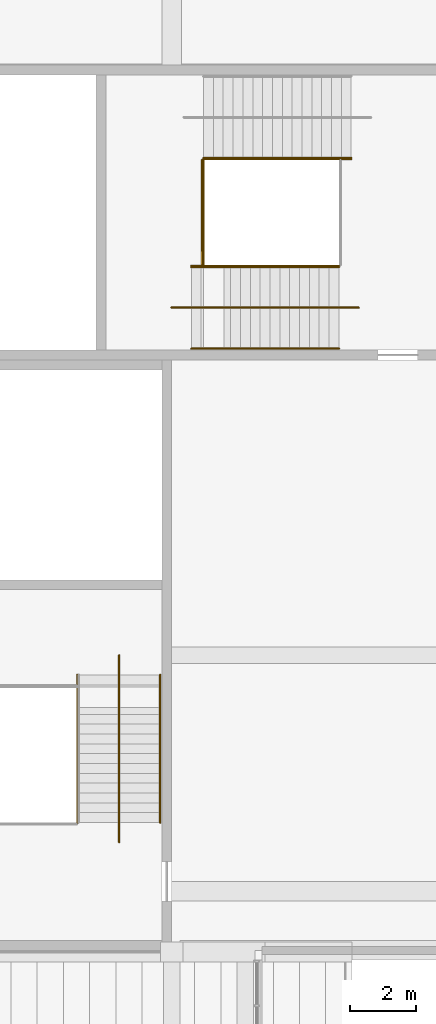
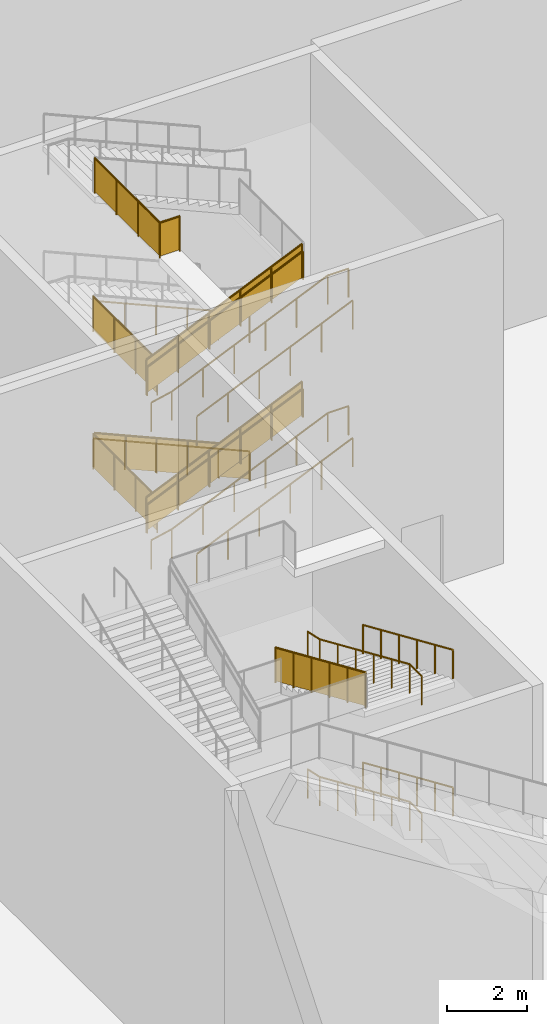
# One storey, part 153 of 182: 19 railings.
"""IFC4 building model written with IfcOpenShell, lengths in metres."""

import ifcopenshell
import ifcopenshell.guid

model = None  # the IFC model being written
_history = None  # IfcOwnerHistory: only IFC2X3 demands one
_inside = {}  # id of a spatial element -> (the spatial element, [elements in it])
_under = {}  # id of a project, library or spatial element -> (it, [spatial elements below it])
_declared = {}  # id of a project -> (the project, [libraries it declares])
_typed = {}  # id of a type object -> (the type object, [elements of that type])
_made_of = {}  # id of a material, layer set ... -> (it, [elements and type objects made of it])


def new_model(schema):
    """Start an empty IFC model of exactly this schema.

    Asked for "IFC4X3", IfcOpenShell would pick the latest addendum, in which some entities
    have other attributes; the version numbers below select the first issue.
    IFC2X3 requires an IfcOwnerHistory on every rooted entity: one is made here for all.
    """
    global model, _history
    if schema == "IFC4X3":
        model = ifcopenshell.file(schema_version=(4, 3, 0, 0))
    else:
        model = ifcopenshell.file(schema=schema)
    _inside.clear()
    _under.clear()
    _declared.clear()
    _typed.clear()
    _made_of.clear()
    _history = None
    if model.schema == "IFC2X3":
        org = make("IfcOrganization", Name="unknown")
        user = make(
            "IfcPersonAndOrganization",
            ThePerson=make("IfcPerson", FamilyName="unknown"),
            TheOrganization=org,
        )
        app = make(
            "IfcApplication",
            ApplicationDeveloper=org,
            Version="unknown",
            ApplicationFullName="unknown",
            ApplicationIdentifier="unknown",
        )
        _history = make(
            "IfcOwnerHistory",
            OwningUser=user,
            OwningApplication=app,
            ChangeAction="ADDED",
            CreationDate=0,
        )
    return model


def make(cls, **values):
    """One entity of the class cls with the attributes given. An attribute that is None is left unset."""
    return model.create_entity(
        cls, **{name: value for name, value in values.items() if value is not None}
    )


def rooted(cls, **values):
    """An entity with a GlobalId (a new one), such as an element, a storey or a relation."""
    return make(cls, GlobalId=ifcopenshell.guid.new(), OwnerHistory=_history, **values)


def si_unit(unit_type, name, prefix=None):
    """IfcSIUnit, for example si_unit("LENGTHUNIT", "METRE", prefix="MILLI")."""
    return make("IfcSIUnit", UnitType=unit_type, Prefix=prefix, Name=name)


def assignment(units):
    """IfcUnitAssignment: the units of a project."""
    return None if units is None else make("IfcUnitAssignment", Units=units)


def point(xyz):
    """IfcCartesianPoint."""
    return None if xyz is None else make("IfcCartesianPoint", Coordinates=xyz)


def direction(xyz):
    """IfcDirection."""
    return None if xyz is None else make("IfcDirection", DirectionRatios=xyz)


def frame(location, z_axis=None, x_axis=None):
    """IfcAxis2Placement3D, a coordinate frame: its origin and axes. An axis left out is left unset."""
    return make(
        "IfcAxis2Placement3D",
        Location=point(location),
        Axis=direction(z_axis),
        RefDirection=direction(x_axis),
    )


def frame_2d(location, x_axis=None):
    """IfcAxis2Placement2D, a coordinate frame in the plane: its origin and x axis."""
    return make(
        "IfcAxis2Placement2D", Location=point(location), RefDirection=direction(x_axis)
    )


def origin():
    """The frame at (0, 0, 0) with its axes left unset."""
    return frame((0.0, 0.0, 0.0))


def origin_2d():
    """The frame at (0, 0) in the plane with its x axis left unset."""
    return frame_2d((0.0, 0.0))


def place(relative_to, where):
    """IfcLocalPlacement: puts the frame where relative to a parent placement (None: the world)."""
    return make(
        "IfcLocalPlacement", PlacementRelTo=relative_to, RelativePlacement=where
    )


def context(
    kind, dimensions, precision=None, world=None, true_north=None, identifier=None
):
    """IfcGeometricRepresentationContext, for example the 3D "Model" context."""
    return make(
        "IfcGeometricRepresentationContext",
        ContextIdentifier=identifier,
        ContextType=kind,
        CoordinateSpaceDimension=dimensions,
        Precision=precision,
        WorldCoordinateSystem=world,
        TrueNorth=true_north,
    )


def subcontext(parent, identifier, kind, view, scale=None):
    """IfcGeometricRepresentationSubContext, for example "Body" below "Model"."""
    return make(
        "IfcGeometricRepresentationSubContext",
        ContextIdentifier=identifier,
        ContextType=kind,
        ParentContext=parent,
        TargetScale=scale,
        TargetView=view,
    )


def project(units=None, contexts=None):
    """IfcProject with its units and contexts."""
    return rooted(
        "IfcProject",
        Name="project",
        RepresentationContexts=contexts,
        UnitsInContext=assignment(units),
    )


def spatial(cls, under=None, at=None, **own):
    """A site, building, storey or space (cls), placed at a placement, below another one or the project."""
    s = rooted(cls, ObjectPlacement=at, **own)
    if under is not None:
        _under.setdefault(under.id(), (under, []))[1].append(s)
    return s


def polyline(points):
    """IfcPolyline through the points."""
    return make("IfcPolyline", Points=[point(p) for p in points])


def profile(cls, at=None, kind="AREA", **sizes):
    """A parametric profile (cls). Its sizes go by their IFC names, for example OverallWidth=200.0."""
    return make(cls, ProfileType=kind, Position=at, **sizes)


def circle(**sizes):
    """IfcCircleProfileDef."""
    return profile("IfcCircleProfileDef", **sizes)


def outline(outer, holes=None, kind="AREA"):
    """IfcArbitraryClosedProfileDef: a profile drawn as a closed curve; with holes, ...WithVoids."""
    if holes is None:
        return make("IfcArbitraryClosedProfileDef", ProfileType=kind, OuterCurve=outer)
    return make(
        "IfcArbitraryProfileDefWithVoids",
        ProfileType=kind,
        OuterCurve=outer,
        InnerCurves=holes,
    )


def extrude(swept, where, along, depth):
    """IfcExtrudedAreaSolid: the profile swept, set in the frame where, extruded along a direction by depth."""
    return make(
        "IfcExtrudedAreaSolid",
        SweptArea=swept,
        Position=where,
        ExtrudedDirection=direction(along),
        Depth=depth,
    )


def shape(context_of_items, identifier, shape_type, items):
    """IfcShapeRepresentation: the items that make up one representation, for example the "Body"."""
    return make(
        "IfcShapeRepresentation",
        ContextOfItems=context_of_items,
        RepresentationIdentifier=identifier,
        RepresentationType=shape_type,
        Items=items,
    )


def material(Name=None, Category=None):
    """IfcMaterial."""
    return make("IfcMaterial", Name=Name, Category=Category)


def made_of(thing, what):
    """Note that an element or type object is made of a material, layer set ...; save() writes the relation."""
    if what is not None:
        _made_of.setdefault(what.id(), (what, []))[1].append(thing)
    return thing


def type_object(cls, material=None, **own):
    """A type object (cls), such as IfcWallType, which elements share."""
    return made_of(rooted(cls, **own), material)


def element(
    cls,
    number,
    at=None,
    inside=None,
    cuts=None,
    type_object=None,
    material=None,
    context=None,
    identifier="Body",
    shape_type=None,
    held_by="IfcProductDefinitionShape",
    body=None,
    shapes=None,
    **own,
):
    """One element of the class cls, such as IfcWall. Its Tag is "e" and its number.

    at: its placement. inside: the storey or other place that contains it. cuts: it is an
    opening in that element (IfcRelVoidsElement). A single representation is given by context,
    identifier, shape_type and body (its items); several are given by shapes. held_by: the class
    of the entity that holds the representations. save() writes the other relations.
    """
    e = rooted(cls, Tag="e%d" % number, ObjectPlacement=at, **own)
    if body is not None:
        shapes = [shape(context, identifier, shape_type, body)]
    if shapes is not None:
        e.Representation = make(held_by, Representations=shapes)
    if inside is not None:
        _inside.setdefault(inside.id(), (inside, []))[1].append(e)
    if cuts is not None:
        rooted(
            "IfcRelVoidsElement", RelatingBuildingElement=cuts, RelatedOpeningElement=e
        )
    if type_object is not None:
        _typed.setdefault(type_object.id(), (type_object, []))[1].append(e)
    return made_of(e, material)


def aggregate(whole, parts):
    """IfcRelAggregates: a whole, such as a stair, and the parts it consists of."""
    return rooted("IfcRelAggregates", RelatingObject=whole, RelatedObjects=parts)


def save(model, path):
    """Write the relations noted so far, then the file.

    IfcRelAggregates (storeys below a building ...), IfcRelContainedInSpatialStructure (elements
    in a storey), IfcRelDefinesByType, IfcRelAssociatesMaterial and IfcRelDeclares: one each for
    every whole, place, type object, material and project.
    """
    for whole, parts in _under.values():
        aggregate(whole, parts)
    for where, things in _inside.values():
        rooted(
            "IfcRelContainedInSpatialStructure",
            RelatedElements=things,
            RelatingStructure=where,
        )
    for kind, things in _typed.values():
        rooted("IfcRelDefinesByType", RelatedObjects=things, RelatingType=kind)
    for what, things in _made_of.values():
        rooted("IfcRelAssociatesMaterial", RelatedObjects=things, RelatingMaterial=what)
    for by, libraries in _declared.values():
        rooted("IfcRelDeclares", RelatingContext=by, RelatedDefinitions=libraries)
    model.write(path)


model = new_model("IFC4")

# Units and contexts
model_context = context("Model", 3, precision=1e-05, world=origin(), true_north=direction((0.0, 1.0)))
body_context = subcontext(model_context, "Body", "Model", "MODEL_VIEW")
ifc_project = project(units=[si_unit("LENGTHUNIT", "METRE"), si_unit("AREAUNIT", "SQUARE_METRE"), si_unit("VOLUMEUNIT", "CUBIC_METRE"), si_unit("PLANEANGLEUNIT", "RADIAN"), si_unit("MASSUNIT", "GRAM", prefix="KILO")], contexts=[model_context])

# Site, building, storey
site_placement = place(None, origin())
site = spatial("IfcSite", under=ifc_project, at=site_placement, CompositionType="ELEMENT")
building_placement = place(site_placement, origin())
building = spatial("IfcBuilding", under=site, at=building_placement, Name="Silverbay Arena", CompositionType="ELEMENT")
storey_placement = place(building_placement, frame((0.0, 0.0, 11.5)))
storey = spatial("IfcBuildingStorey", under=building, at=storey_placement, Name="L02", CompositionType="ELEMENT", Elevation=11.5)

# Railings
ifc_material_1 = material(Name="Stainless steel", Category="steel")
railing_type_1 = type_object("IfcRailingType", Name="Stair guard 1100", PredefinedType="GUARDRAIL", material=ifc_material_1)
railing_1_placement = place(storey_placement, frame((86.47412109375, 123.125, 0.13134765625)))
element("IfcRailing", 1, at=railing_1_placement, inside=storey, type_object=railing_type_1, Name="Stair ST-NW1 L02 to L03 flight 1 guard left", PredefinedType="GUARDRAIL", context=body_context, shape_type="SweptSolid", body=[
    extrude(circle(Radius=0.02392578125, at=origin_2d()), frame((0.0, 0.0, 1.076171875), z_axis=(-0.916157334902, 0.0, 0.40081883402), x_axis=(0.0, -1.0, 0.0)), (0.0, 0.0, 1.0), 4.911865234375),
    extrude(outline(polyline([(-0.008056640625, 0.04638671875), (0.907958984375, 0.447265625), (0.907958984375, 1.4501953125), (-0.008056640625, 1.049560546875), (-0.008056640625, 0.04638671875)])), frame((0.0, -0.0029296875, 0.0), z_axis=(0.0, 1.0, 0.0), x_axis=(-1.0, 0.0, 0.0)), (0.0, 0.0, 1.0), 0.006103515625),
    extrude(outline(polyline([(-0.008056640625, 0.440185546875), (0.907958984375, 0.841064453125), (0.907958984375, 1.843994140625), (-0.008056640625, 1.443359375), (-0.008056640625, 0.440185546875)])), frame((-0.89990234375, -0.0029296875, 0.0), z_axis=(0.0, 1.0, 0.0), x_axis=(-1.0, 0.0, 0.0)), (0.0, 0.0, 1.0), 0.006103515625),
    extrude(outline(polyline([(-0.008056640625, 0.833984375), (0.907958984375, 1.23486328125), (0.907958984375, 2.23779296875), (-0.008056640625, 1.8369140625), (-0.008056640625, 0.833984375)])), frame((-1.800048828125, -0.0029296875, 0.0), z_axis=(0.0, 1.0, 0.0), x_axis=(-1.0, 0.0, 0.0)), (0.0, 0.0, 1.0), 0.006103515625),
    extrude(outline(polyline([(-0.008056640625, 1.227783203125), (0.907958984375, 1.62841796875), (0.907958984375, 2.631591796875), (-0.008056640625, 2.230712890625), (-0.008056640625, 1.227783203125)])), frame((-2.699951171875, -0.0029296875, 0.0), z_axis=(0.0, 1.0, 0.0), x_axis=(-1.0, 0.0, 0.0)), (0.0, 0.0, 1.0), 0.006103515625),
    extrude(outline(polyline([(-0.008056640625, 1.62158203125), (0.907958984375, 2.022216796875), (0.907958984375, 3.025146484375), (-0.008056640625, 2.62451171875), (-0.008056640625, 1.62158203125)])), frame((-3.60009765625, -0.0029296875, 0.0), z_axis=(0.0, 1.0, 0.0), x_axis=(-1.0, 0.0, 0.0)), (0.0, 0.0, 1.0), 0.006103515625),
    extrude(circle(Radius=0.02099609375, at=origin_2d()), origin(), (0.0, 0.0, 1.0), 1.052001953125),
    extrude(circle(Radius=0.02099609375, at=origin_2d()), frame((-0.89990234375, 0.0, 0.393798828125)), (0.0, 0.0, 1.0), 1.052001953125),
    extrude(circle(Radius=0.02099609375, at=origin_2d()), frame((-1.800048828125, 0.0, 0.78759765625)), (0.0, 0.0, 1.0), 1.052001953125),
    extrude(circle(Radius=0.02099609375, at=origin_2d()), frame((-2.699951171875, 0.0, 1.18115234375)), (0.0, 0.0, 1.0), 1.052001953125),
    extrude(circle(Radius=0.02099609375, at=origin_2d()), frame((-3.60009765625, 0.0, 1.574951171875)), (0.0, 0.0, 1.0), 1.052001953125),
    extrude(circle(Radius=0.02099609375, at=origin_2d()), frame((-4.5, 0.0, 1.96875)), (0.0, 0.0, 1.0), 1.052001953125),
])
railing_2_placement = place(storey_placement, frame((81.60009765625, 119.875, 2.231201171875)))
element("IfcRailing", 2, at=railing_2_placement, inside=storey, type_object=railing_type_1, Name="Stair ST-NW1 L02 to L03 flight 2 guard right", PredefinedType="GUARDRAIL", context=body_context, shape_type="SweptSolid", body=[
    extrude(circle(Radius=0.02392578125, at=origin_2d()), frame((0.0, 0.0, 1.076171875), z_axis=(0.916157334902, 0.0, 0.40081883402), x_axis=(0.0, 1.0, 0.0)), (0.0, 0.0, 1.0), 4.911865234375),
    extrude(outline(polyline([(-0.008056640625, 0.04638671875), (0.907958984375, 0.447265625), (0.907958984375, 1.4501953125), (-0.008056640625, 1.049560546875), (-0.008056640625, 0.04638671875)])), frame((0.0, 0.0029296875, 0.0), z_axis=(0.0, -1.0, 0.0), x_axis=(1.0, 0.0, 0.0)), (0.0, 0.0, 1.0), 0.006103515625),
    extrude(outline(polyline([(-0.008056640625, 0.440185546875), (0.907958984375, 0.841064453125), (0.907958984375, 1.843994140625), (-0.008056640625, 1.443359375), (-0.008056640625, 0.440185546875)])), frame((0.89990234375, 0.0029296875, 0.0), z_axis=(0.0, -1.0, 0.0), x_axis=(1.0, 0.0, 0.0)), (0.0, 0.0, 1.0), 0.006103515625),
    extrude(outline(polyline([(-0.008056640625, 0.833984375), (0.907958984375, 1.23486328125), (0.907958984375, 2.23779296875), (-0.008056640625, 1.8369140625), (-0.008056640625, 0.833984375)])), frame((1.800048828125, 0.0029296875, 0.0), z_axis=(0.0, -1.0, 0.0), x_axis=(1.0, 0.0, 0.0)), (0.0, 0.0, 1.0), 0.006103515625),
    extrude(outline(polyline([(-0.008056640625, 1.227783203125), (0.907958984375, 1.62841796875), (0.907958984375, 2.631591796875), (-0.008056640625, 2.230712890625), (-0.008056640625, 1.227783203125)])), frame((2.699951171875, 0.0029296875, 0.0), z_axis=(0.0, -1.0, 0.0), x_axis=(1.0, 0.0, 0.0)), (0.0, 0.0, 1.0), 0.006103515625),
    extrude(outline(polyline([(-0.008056640625, 1.62158203125), (0.907958984375, 2.022216796875), (0.907958984375, 3.025146484375), (-0.008056640625, 2.62451171875), (-0.008056640625, 1.62158203125)])), frame((3.60009765625, 0.0029296875, 0.0), z_axis=(0.0, -1.0, 0.0), x_axis=(1.0, 0.0, 0.0)), (0.0, 0.0, 1.0), 0.006103515625),
    extrude(circle(Radius=0.02099609375, at=origin_2d()), origin(), (0.0, 0.0, 1.0), 1.052001953125),
    extrude(circle(Radius=0.02099609375, at=origin_2d()), frame((0.89990234375, 0.0, 0.393798828125)), (0.0, 0.0, 1.0), 1.052001953125),
    extrude(circle(Radius=0.02099609375, at=origin_2d()), frame((1.800048828125, 0.0, 0.78759765625)), (0.0, 0.0, 1.0), 1.052001953125),
    extrude(circle(Radius=0.02099609375, at=origin_2d()), frame((2.699951171875, 0.0, 1.18115234375)), (0.0, 0.0, 1.0), 1.052001953125),
    extrude(circle(Radius=0.02099609375, at=origin_2d()), frame((3.60009765625, 0.0, 1.574951171875)), (0.0, 0.0, 1.0), 1.052001953125),
    extrude(circle(Radius=0.02099609375, at=origin_2d()), frame((4.5, 0.0, 1.96875)), (0.0, 0.0, 1.0), 1.052001953125),
])
railing_3_placement = place(storey_placement, frame((81.60009765625, 119.875, 6.43115234375)))
element("IfcRailing", 3, at=railing_3_placement, inside=storey, type_object=railing_type_1, Name="Stair ST-NW1 L02 to L03 flight 4 guard right", PredefinedType="GUARDRAIL", context=body_context, shape_type="SweptSolid", body=[
    extrude(circle(Radius=0.02392578125, at=origin_2d()), frame((0.0, 0.0, 1.076171875), z_axis=(0.916157334902, 0.0, 0.40081883402), x_axis=(0.0, 1.0, 0.0)), (0.0, 0.0, 1.0), 4.911865234375),
    extrude(outline(polyline([(-0.008056640625, 0.04638671875), (0.907958984375, 0.447265625), (0.907958984375, 1.4501953125), (-0.008056640625, 1.049560546875), (-0.008056640625, 0.04638671875)])), frame((0.0, 0.0029296875, 0.0), z_axis=(0.0, -1.0, 0.0), x_axis=(1.0, 0.0, 0.0)), (0.0, 0.0, 1.0), 0.006103515625),
    extrude(outline(polyline([(-0.008056640625, 0.440185546875), (0.907958984375, 0.841064453125), (0.907958984375, 1.843994140625), (-0.008056640625, 1.443359375), (-0.008056640625, 0.440185546875)])), frame((0.89990234375, 0.0029296875, 0.0), z_axis=(0.0, -1.0, 0.0), x_axis=(1.0, 0.0, 0.0)), (0.0, 0.0, 1.0), 0.006103515625),
    extrude(outline(polyline([(-0.008056640625, 0.833984375), (0.907958984375, 1.23486328125), (0.907958984375, 2.23779296875), (-0.008056640625, 1.8369140625), (-0.008056640625, 0.833984375)])), frame((1.800048828125, 0.0029296875, 0.0), z_axis=(0.0, -1.0, 0.0), x_axis=(1.0, 0.0, 0.0)), (0.0, 0.0, 1.0), 0.006103515625),
    extrude(outline(polyline([(-0.008056640625, 1.227783203125), (0.907958984375, 1.62841796875), (0.907958984375, 2.631591796875), (-0.008056640625, 2.230712890625), (-0.008056640625, 1.227783203125)])), frame((2.699951171875, 0.0029296875, 0.0), z_axis=(0.0, -1.0, 0.0), x_axis=(1.0, 0.0, 0.0)), (0.0, 0.0, 1.0), 0.006103515625),
    extrude(outline(polyline([(-0.008056640625, 1.62158203125), (0.907958984375, 2.022216796875), (0.907958984375, 3.025146484375), (-0.008056640625, 2.62451171875), (-0.008056640625, 1.62158203125)])), frame((3.60009765625, 0.0029296875, 0.0), z_axis=(0.0, -1.0, 0.0), x_axis=(1.0, 0.0, 0.0)), (0.0, 0.0, 1.0), 0.006103515625),
    extrude(circle(Radius=0.02099609375, at=origin_2d()), origin(), (0.0, 0.0, 1.0), 1.052001953125),
    extrude(circle(Radius=0.02099609375, at=origin_2d()), frame((0.89990234375, 0.0, 0.393798828125)), (0.0, 0.0, 1.0), 1.052001953125),
    extrude(circle(Radius=0.02099609375, at=origin_2d()), frame((1.800048828125, 0.0, 0.78759765625)), (0.0, 0.0, 1.0), 1.052001953125),
    extrude(circle(Radius=0.02099609375, at=origin_2d()), frame((2.699951171875, 0.0, 1.18115234375)), (0.0, 0.0, 1.0), 1.052001953125),
    extrude(circle(Radius=0.02099609375, at=origin_2d()), frame((3.60009765625, 0.0, 1.574951171875)), (0.0, 0.0, 1.0), 1.052001953125),
    extrude(circle(Radius=0.02099609375, at=origin_2d()), frame((4.5, 0.0, 1.96875)), (0.0, 0.0, 1.0), 1.052001953125),
])
for number, where, name in (
    (4, (81.92431640625, 119.89990234375, 2.10009765625), "Stair ST-NW1 L02 to L03 landing 1 guard"),
    (5, (81.92431640625, 119.89990234375, 6.300048828125), "Stair ST-NW1 L02 to L03 landing 3 guard"),
):
    element("IfcRailing", number, at=place(storey_placement, frame(where)), inside=storey, type_object=railing_type_1, Name=name, PredefinedType="GUARDRAIL", context=body_context, shape_type="SweptSolid", body=[
        extrude(circle(Radius=0.02392578125, at=origin_2d()), frame((0.0, 0.0, 1.076171875), z_axis=(0.0, 1.0, 0.0), x_axis=(-1.0, 0.0, 0.0)), (0.0, 0.0, 1.0), 3.2001953125),
        extrude(outline(polyline([(-0.008056640625, 0.050048828125), (1.07470703125, 0.050048828125), (1.07470703125, 1.052978515625), (-0.008056640625, 1.052978515625), (-0.008056640625, 0.050048828125)])), frame((-0.0029296875, 0.0, 0.0), z_axis=(1.0, 0.0, 0.0), x_axis=(0.0, 1.0, 0.0)), (0.0, 0.0, 1.0), 0.006103515625),
        extrude(outline(polyline([(-0.008056640625, 0.050048828125), (1.07470703125, 0.050048828125), (1.07470703125, 1.052978515625), (-0.008056640625, 1.052978515625), (-0.008056640625, 0.050048828125)])), frame((-0.0029296875, 1.066650390625, 0.0), z_axis=(1.0, 0.0, 0.0), x_axis=(0.0, 1.0, 0.0)), (0.0, 0.0, 1.0), 0.006103515625),
        extrude(outline(polyline([(-0.008056640625, 0.050048828125), (1.07470703125, 0.050048828125), (1.07470703125, 1.052978515625), (-0.008056640625, 1.052978515625), (-0.008056640625, 0.050048828125)])), frame((-0.0029296875, 2.133544921875, 0.0), z_axis=(1.0, 0.0, 0.0), x_axis=(0.0, 1.0, 0.0)), (0.0, 0.0, 1.0), 0.006103515625),
        extrude(circle(Radius=0.02099609375, at=origin_2d()), origin(), (0.0, 0.0, 1.0), 1.052001953125),
        extrude(circle(Radius=0.02099609375, at=origin_2d()), frame((0.0, 1.066650390625, 0.0)), (0.0, 0.0, 1.0), 1.052001953125),
        extrude(circle(Radius=0.02099609375, at=origin_2d()), frame((0.0, 2.133544921875, 0.0)), (0.0, 0.0, 1.0), 1.052001953125),
        extrude(circle(Radius=0.02099609375, at=origin_2d()), frame((0.0, 3.2001953125, 0.0)), (0.0, 0.0, 1.0), 1.052001953125),
    ])
railing_4_placement = place(storey_placement, frame((82.550048828125, 119.85009765625, 10.5)))
element("IfcRailing", 6, at=railing_4_placement, inside=storey, type_object=railing_type_1, Name="Stair ST-NW1 L02 to L03 landing 5 guard", PredefinedType="GUARDRAIL", context=body_context, shape_type="SweptSolid", body=[
    extrude(circle(Radius=0.02392578125, at=origin_2d()), frame((0.0, 0.0, 1.076171875), z_axis=(-1.0, 0.0, 0.0), x_axis=(0.0, -1.0, 0.0)), (0.0, 0.0, 1.0), 0.575927734375),
    extrude(outline(polyline([(-0.008056640625, 0.050048828125), (0.583984375, 0.050048828125), (0.583984375, 1.052978515625), (-0.008056640625, 1.052978515625), (-0.008056640625, 0.050048828125)])), frame((0.0, -0.0029296875, 0.0), z_axis=(0.0, 1.0, 0.0), x_axis=(-1.0, 0.0, 0.0)), (0.0, 0.0, 1.0), 0.006103515625),
    extrude(circle(Radius=0.02392578125, at=origin_2d()), frame((-0.575927734375, 0.0, 1.076171875), z_axis=(0.0, 1.0, 0.0), x_axis=(-1.0, 0.0, 0.0)), (0.0, 0.0, 1.0), 3.25),
    extrude(outline(polyline([(-0.008056640625, 0.050048828125), (1.09130859375, 0.050048828125), (1.09130859375, 1.052978515625), (-0.008056640625, 1.052978515625), (-0.008056640625, 0.050048828125)])), frame((-0.578857421875, 0.0, 0.0), z_axis=(1.0, 0.0, 0.0), x_axis=(0.0, 1.0, 0.0)), (0.0, 0.0, 1.0), 0.006103515625),
    extrude(outline(polyline([(-0.008056640625, 0.050048828125), (1.09130859375, 0.050048828125), (1.09130859375, 1.052978515625), (-0.008056640625, 1.052978515625), (-0.008056640625, 0.050048828125)])), frame((-0.578857421875, 1.083251953125, 0.0), z_axis=(1.0, 0.0, 0.0), x_axis=(0.0, 1.0, 0.0)), (0.0, 0.0, 1.0), 0.006103515625),
    extrude(outline(polyline([(-0.008056640625, 0.050048828125), (1.09130859375, 0.050048828125), (1.09130859375, 1.052978515625), (-0.008056640625, 1.052978515625), (-0.008056640625, 0.050048828125)])), frame((-0.578857421875, 2.166748046875, 0.0), z_axis=(1.0, 0.0, 0.0), x_axis=(0.0, 1.0, 0.0)), (0.0, 0.0, 1.0), 0.006103515625),
    extrude(circle(Radius=0.02099609375, at=origin_2d()), origin(), (0.0, 0.0, 1.0), 1.052001953125),
    extrude(circle(Radius=0.02099609375, at=origin_2d()), frame((-0.575927734375, 0.0, 0.0)), (0.0, 0.0, 1.0), 1.052001953125),
    extrude(circle(Radius=0.02099609375, at=origin_2d()), frame((-0.575927734375, 1.083251953125, 0.0)), (0.0, 0.0, 1.0), 1.052001953125),
    extrude(circle(Radius=0.02099609375, at=origin_2d()), frame((-0.575927734375, 2.166748046875, 0.0)), (0.0, 0.0, 1.0), 1.052001953125),
    extrude(circle(Radius=0.02099609375, at=origin_2d()), frame((-0.575927734375, 3.25, 0.0)), (0.0, 0.0, 1.0), 1.052001953125),
])
railing_5_placement = place(storey_placement, frame((78.125, 107.39990234375, 6.43115234375)))
element("IfcRailing", 7, at=railing_5_placement, inside=storey, type_object=railing_type_1, Name="Stair ST-NW2 L02 to L03 flight 4 guard right", PredefinedType="GUARDRAIL", context=body_context, shape_type="SweptSolid", body=[
    extrude(circle(Radius=0.02392578125, at=origin_2d()), frame((0.0, 0.0, 1.076171875), z_axis=(0.0, -0.916157334902, 0.40081883402), x_axis=(1.0, 0.0, 0.0)), (0.0, 0.0, 1.0), 4.911865234375),
    extrude(outline(polyline([(-0.008056640625, 0.04638671875), (0.907958984375, 0.447265625), (0.907958984375, 1.4501953125), (-0.008056640625, 1.049560546875), (-0.008056640625, 0.04638671875)])), frame((0.0029296875, 0.0, 0.0), z_axis=(-1.0, 0.0, 0.0), x_axis=(0.0, -1.0, 0.0)), (0.0, 0.0, 1.0), 0.006103515625),
    extrude(outline(polyline([(-0.008056640625, 0.440185546875), (0.907958984375, 0.841064453125), (0.907958984375, 1.843994140625), (-0.008056640625, 1.443359375), (-0.008056640625, 0.440185546875)])), frame((0.0029296875, -0.89990234375, 0.0), z_axis=(-1.0, 0.0, 0.0), x_axis=(0.0, -1.0, 0.0)), (0.0, 0.0, 1.0), 0.006103515625),
    extrude(outline(polyline([(-0.008056640625, 0.833984375), (0.907958984375, 1.23486328125), (0.907958984375, 2.23779296875), (-0.008056640625, 1.8369140625), (-0.008056640625, 0.833984375)])), frame((0.0029296875, -1.800048828125, 0.0), z_axis=(-1.0, 0.0, 0.0), x_axis=(0.0, -1.0, 0.0)), (0.0, 0.0, 1.0), 0.006103515625),
    extrude(outline(polyline([(-0.008056640625, 1.227783203125), (0.907958984375, 1.62841796875), (0.907958984375, 2.631591796875), (-0.008056640625, 2.230712890625), (-0.008056640625, 1.227783203125)])), frame((0.0029296875, -2.699951171875, 0.0), z_axis=(-1.0, 0.0, 0.0), x_axis=(0.0, -1.0, 0.0)), (0.0, 0.0, 1.0), 0.006103515625),
    extrude(outline(polyline([(-0.008056640625, 1.62158203125), (0.907958984375, 2.022216796875), (0.907958984375, 3.025146484375), (-0.008056640625, 2.62451171875), (-0.008056640625, 1.62158203125)])), frame((0.0029296875, -3.60009765625, 0.0), z_axis=(-1.0, 0.0, 0.0), x_axis=(0.0, -1.0, 0.0)), (0.0, 0.0, 1.0), 0.006103515625),
    extrude(circle(Radius=0.02099609375, at=origin_2d()), origin(), (0.0, 0.0, 1.0), 1.052001953125),
    extrude(circle(Radius=0.02099609375, at=origin_2d()), frame((0.0, -0.89990234375, 0.393798828125)), (0.0, 0.0, 1.0), 1.052001953125),
    extrude(circle(Radius=0.02099609375, at=origin_2d()), frame((0.0, -1.800048828125, 0.78759765625)), (0.0, 0.0, 1.0), 1.052001953125),
    extrude(circle(Radius=0.02099609375, at=origin_2d()), frame((0.0, -2.699951171875, 1.18115234375)), (0.0, 0.0, 1.0), 1.052001953125),
    extrude(circle(Radius=0.02099609375, at=origin_2d()), frame((0.0, -3.60009765625, 1.574951171875)), (0.0, 0.0, 1.0), 1.052001953125),
    extrude(circle(Radius=0.02099609375, at=origin_2d()), frame((0.0, -4.5, 1.96875)), (0.0, 0.0, 1.0), 1.052001953125),
])
ifc_material_2 = material(Name="Stainless steel", Category="steel")
railing_type_2 = type_object("IfcRailingType", Name="Stair handrail 900", PredefinedType="HANDRAIL", material=ifc_material_2)
railing_6_placement = place(storey_placement, frame((86.47412109375, 123.1640625, 0.13134765625)))
element("IfcRailing", 8, at=railing_6_placement, inside=storey, type_object=railing_type_2, Name="Stair ST-NW1 L02 to L03 flight 1 handrail left", PredefinedType="HANDRAIL", context=body_context, shape_type="SweptSolid", body=[
    extrude(circle(Radius=0.02392578125, at=origin_2d()), frame((0.0, 0.0, 0.8759765625), z_axis=(-0.916157334902, 0.0, 0.40081883402), x_axis=(0.0, -1.0, 0.0)), (0.0, 0.0, 1.0), 4.911865234375),
    extrude(circle(Radius=0.02099609375, at=origin_2d()), origin(), (0.0, 0.0, 1.0), 0.851806640625),
    extrude(circle(Radius=0.02099609375, at=origin_2d()), frame((-0.89990234375, 0.0, 0.393798828125)), (0.0, 0.0, 1.0), 0.851806640625),
    extrude(circle(Radius=0.02099609375, at=origin_2d()), frame((-1.800048828125, 0.0, 0.78759765625)), (0.0, 0.0, 1.0), 0.851806640625),
    extrude(circle(Radius=0.02099609375, at=origin_2d()), frame((-2.699951171875, 0.0, 1.18115234375)), (0.0, 0.0, 1.0), 0.851806640625),
    extrude(circle(Radius=0.02099609375, at=origin_2d()), frame((-3.60009765625, 0.0, 1.574951171875)), (0.0, 0.0, 1.0), 0.851806640625),
    extrude(circle(Radius=0.02099609375, at=origin_2d()), frame((-4.5, 0.0, 1.96875)), (0.0, 0.0, 1.0), 0.851806640625),
])
for number, where, name in (
    (9, (81.60009765625, 117.35009765625, 2.231201171875), "Stair ST-NW1 L02 to L03 flight 2 handrail left"),
    (10, (81.60009765625, 119.8359375, 2.231201171875), "Stair ST-NW1 L02 to L03 flight 2 handrail right"),
):
    element("IfcRailing", number, at=place(storey_placement, frame(where)), inside=storey, type_object=railing_type_2, Name=name, PredefinedType="HANDRAIL", context=body_context, shape_type="SweptSolid", body=[
        extrude(circle(Radius=0.02392578125, at=origin_2d()), frame((0.0, 0.0, 0.8759765625), z_axis=(0.916157334902, 0.0, 0.40081883402), x_axis=(0.0, 1.0, 0.0)), (0.0, 0.0, 1.0), 4.911865234375),
        extrude(circle(Radius=0.02099609375, at=origin_2d()), origin(), (0.0, 0.0, 1.0), 0.851806640625),
        extrude(circle(Radius=0.02099609375, at=origin_2d()), frame((0.89990234375, 0.0, 0.393798828125)), (0.0, 0.0, 1.0), 0.851806640625),
        extrude(circle(Radius=0.02099609375, at=origin_2d()), frame((1.800048828125, 0.0, 0.78759765625)), (0.0, 0.0, 1.0), 0.851806640625),
        extrude(circle(Radius=0.02099609375, at=origin_2d()), frame((2.699951171875, 0.0, 1.18115234375)), (0.0, 0.0, 1.0), 0.851806640625),
        extrude(circle(Radius=0.02099609375, at=origin_2d()), frame((3.60009765625, 0.0, 1.574951171875)), (0.0, 0.0, 1.0), 0.851806640625),
        extrude(circle(Radius=0.02099609375, at=origin_2d()), frame((4.5, 0.0, 1.96875)), (0.0, 0.0, 1.0), 0.851806640625),
    ])
railing_7_placement = place(storey_placement, frame((81.0, 118.60009765625, 2.10009765625)))
element("IfcRailing", 11, at=railing_7_placement, inside=storey, type_object=railing_type_2, Name="Stair ST-NW1 L02 to L03 flight 2 central handrail", PredefinedType="HANDRAIL", context=body_context, shape_type="SweptSolid", body=[
    extrude(circle(Radius=0.02392578125, at=origin_2d()), frame((0.0, 0.0, 0.8759765625), z_axis=(0.976957027196, 0.0, 0.213436095852), x_axis=(0.0, 1.0, 0.0)), (0.0, 0.0, 1.0), 0.6142578125),
    extrude(circle(Radius=0.02392578125, at=origin_2d()), frame((0.60009765625, 0.0, 1.0068359375), z_axis=(0.916157334902, 0.0, 0.40081883402), x_axis=(0.0, 1.0, 0.0)), (0.0, 0.0, 1.0), 4.911865234375),
    extrude(circle(Radius=0.02392578125, at=origin_2d()), frame((5.10009765625, 0.0, 2.9755859375), z_axis=(1.0, 0.0, 0.0), x_axis=(0.0, 1.0, 0.0)), (0.0, 0.0, 1.0), 0.599853515625),
    extrude(circle(Radius=0.02099609375, at=origin_2d()), origin(), (0.0, 0.0, 1.0), 0.851806640625),
    extrude(circle(Radius=0.02099609375, at=origin_2d()), frame((0.60009765625, 0.0, 0.131103515625)), (0.0, 0.0, 1.0), 0.851806640625),
    extrude(circle(Radius=0.02099609375, at=origin_2d()), frame((1.5, 0.0, 0.52490234375)), (0.0, 0.0, 1.0), 0.851806640625),
    extrude(circle(Radius=0.02099609375, at=origin_2d()), frame((2.400146484375, 0.0, 0.918701171875)), (0.0, 0.0, 1.0), 0.851806640625),
    extrude(circle(Radius=0.02099609375, at=origin_2d()), frame((3.300048828125, 0.0, 1.312255859375)), (0.0, 0.0, 1.0), 0.851806640625),
    extrude(circle(Radius=0.02099609375, at=origin_2d()), frame((4.2001953125, 0.0, 1.7060546875)), (0.0, 0.0, 1.0), 0.851806640625),
    extrude(circle(Radius=0.02099609375, at=origin_2d()), frame((5.10009765625, 0.0, 2.099853515625)), (0.0, 0.0, 1.0), 0.851806640625),
    extrude(circle(Radius=0.02099609375, at=origin_2d()), frame((5.699951171875, 0.0, 2.099853515625)), (0.0, 0.0, 1.0), 0.851806640625),
])
railing_8_placement = place(storey_placement, frame((86.47412109375, 123.1640625, 4.331298828125)))
element("IfcRailing", 12, at=railing_8_placement, inside=storey, type_object=railing_type_2, Name="Stair ST-NW1 L02 to L03 flight 3 handrail left", PredefinedType="HANDRAIL", context=body_context, shape_type="SweptSolid", body=[
    extrude(circle(Radius=0.02392578125, at=origin_2d()), frame((0.0, 0.0, 0.8759765625), z_axis=(-0.916157334902, 0.0, 0.40081883402), x_axis=(0.0, -1.0, 0.0)), (0.0, 0.0, 1.0), 4.911865234375),
    extrude(circle(Radius=0.02099609375, at=origin_2d()), origin(), (0.0, 0.0, 1.0), 0.851806640625),
    extrude(circle(Radius=0.02099609375, at=origin_2d()), frame((-0.89990234375, 0.0, 0.393798828125)), (0.0, 0.0, 1.0), 0.851806640625),
    extrude(circle(Radius=0.02099609375, at=origin_2d()), frame((-1.800048828125, 0.0, 0.78759765625)), (0.0, 0.0, 1.0), 0.851806640625),
    extrude(circle(Radius=0.02099609375, at=origin_2d()), frame((-2.699951171875, 0.0, 1.18115234375)), (0.0, 0.0, 1.0), 0.851806640625),
    extrude(circle(Radius=0.02099609375, at=origin_2d()), frame((-3.60009765625, 0.0, 1.574951171875)), (0.0, 0.0, 1.0), 0.851806640625),
    extrude(circle(Radius=0.02099609375, at=origin_2d()), frame((-4.5, 0.0, 1.96875)), (0.0, 0.0, 1.0), 0.851806640625),
])
for number, where, name in (
    (13, (81.60009765625, 117.35009765625, 6.43115234375), "Stair ST-NW1 L02 to L03 flight 4 handrail left"),
    (14, (81.60009765625, 119.8359375, 6.43115234375), "Stair ST-NW1 L02 to L03 flight 4 handrail right"),
):
    element("IfcRailing", number, at=place(storey_placement, frame(where)), inside=storey, type_object=railing_type_2, Name=name, PredefinedType="HANDRAIL", context=body_context, shape_type="SweptSolid", body=[
        extrude(circle(Radius=0.02392578125, at=origin_2d()), frame((0.0, 0.0, 0.8759765625), z_axis=(0.916157334902, 0.0, 0.40081883402), x_axis=(0.0, 1.0, 0.0)), (0.0, 0.0, 1.0), 4.911865234375),
        extrude(circle(Radius=0.02099609375, at=origin_2d()), origin(), (0.0, 0.0, 1.0), 0.851806640625),
        extrude(circle(Radius=0.02099609375, at=origin_2d()), frame((0.89990234375, 0.0, 0.393798828125)), (0.0, 0.0, 1.0), 0.851806640625),
        extrude(circle(Radius=0.02099609375, at=origin_2d()), frame((1.800048828125, 0.0, 0.78759765625)), (0.0, 0.0, 1.0), 0.851806640625),
        extrude(circle(Radius=0.02099609375, at=origin_2d()), frame((2.699951171875, 0.0, 1.18115234375)), (0.0, 0.0, 1.0), 0.851806640625),
        extrude(circle(Radius=0.02099609375, at=origin_2d()), frame((3.60009765625, 0.0, 1.574951171875)), (0.0, 0.0, 1.0), 0.851806640625),
        extrude(circle(Radius=0.02099609375, at=origin_2d()), frame((4.5, 0.0, 1.96875)), (0.0, 0.0, 1.0), 0.851806640625),
    ])
railing_9_placement = place(storey_placement, frame((81.0, 118.60009765625, 6.300048828125)))
element("IfcRailing", 15, at=railing_9_placement, inside=storey, type_object=railing_type_2, Name="Stair ST-NW1 L02 to L03 flight 4 central handrail", PredefinedType="HANDRAIL", context=body_context, shape_type="SweptSolid", body=[
    extrude(circle(Radius=0.02392578125, at=origin_2d()), frame((0.0, 0.0, 0.8759765625), z_axis=(0.976957027196, 0.0, 0.213436095852), x_axis=(0.0, 1.0, 0.0)), (0.0, 0.0, 1.0), 0.6142578125),
    extrude(circle(Radius=0.02392578125, at=origin_2d()), frame((0.60009765625, 0.0, 1.0068359375), z_axis=(0.916157334902, 0.0, 0.40081883402), x_axis=(0.0, 1.0, 0.0)), (0.0, 0.0, 1.0), 4.911865234375),
    extrude(circle(Radius=0.02392578125, at=origin_2d()), frame((5.10009765625, 0.0, 2.9755859375), z_axis=(1.0, 0.0, 0.0), x_axis=(0.0, 1.0, 0.0)), (0.0, 0.0, 1.0), 0.599853515625),
    extrude(circle(Radius=0.02099609375, at=origin_2d()), origin(), (0.0, 0.0, 1.0), 0.851806640625),
    extrude(circle(Radius=0.02099609375, at=origin_2d()), frame((0.60009765625, 0.0, 0.131103515625)), (0.0, 0.0, 1.0), 0.851806640625),
    extrude(circle(Radius=0.02099609375, at=origin_2d()), frame((1.5, 0.0, 0.52490234375)), (0.0, 0.0, 1.0), 0.851806640625),
    extrude(circle(Radius=0.02099609375, at=origin_2d()), frame((2.400146484375, 0.0, 0.918701171875)), (0.0, 0.0, 1.0), 0.851806640625),
    extrude(circle(Radius=0.02099609375, at=origin_2d()), frame((3.300048828125, 0.0, 1.312255859375)), (0.0, 0.0, 1.0), 0.851806640625),
    extrude(circle(Radius=0.02099609375, at=origin_2d()), frame((4.2001953125, 0.0, 1.7060546875)), (0.0, 0.0, 1.0), 0.851806640625),
    extrude(circle(Radius=0.02099609375, at=origin_2d()), frame((5.10009765625, 0.0, 2.099853515625)), (0.0, 0.0, 1.0), 0.851806640625),
    extrude(circle(Radius=0.02099609375, at=origin_2d()), frame((5.699951171875, 0.0, 2.099853515625)), (0.0, 0.0, 1.0), 0.851806640625),
])
railing_10_placement = place(storey_placement, frame((80.64990234375, 107.39990234375, 2.231201171875)))
element("IfcRailing", 16, at=railing_10_placement, inside=storey, type_object=railing_type_2, Name="Stair ST-NW2 L02 to L03 flight 2 handrail left", PredefinedType="HANDRAIL", context=body_context, shape_type="SweptSolid", body=[
    extrude(circle(Radius=0.02392578125, at=origin_2d()), frame((0.0, 0.0, 0.8759765625), z_axis=(0.0, -0.916157334902, 0.40081883402), x_axis=(1.0, 0.0, 0.0)), (0.0, 0.0, 1.0), 4.911865234375),
    extrude(circle(Radius=0.02099609375, at=origin_2d()), origin(), (0.0, 0.0, 1.0), 0.851806640625),
    extrude(circle(Radius=0.02099609375, at=origin_2d()), frame((0.0, -0.89990234375, 0.393798828125)), (0.0, 0.0, 1.0), 0.851806640625),
    extrude(circle(Radius=0.02099609375, at=origin_2d()), frame((0.0, -1.800048828125, 0.78759765625)), (0.0, 0.0, 1.0), 0.851806640625),
    extrude(circle(Radius=0.02099609375, at=origin_2d()), frame((0.0, -2.699951171875, 1.18115234375)), (0.0, 0.0, 1.0), 0.851806640625),
    extrude(circle(Radius=0.02099609375, at=origin_2d()), frame((0.0, -3.60009765625, 1.574951171875)), (0.0, 0.0, 1.0), 0.851806640625),
    extrude(circle(Radius=0.02099609375, at=origin_2d()), frame((0.0, -4.5, 1.96875)), (0.0, 0.0, 1.0), 0.851806640625),
])
railing_11_placement = place(storey_placement, frame((79.39990234375, 108.0, 2.10009765625)))
element("IfcRailing", 17, at=railing_11_placement, inside=storey, type_object=railing_type_2, Name="Stair ST-NW2 L02 to L03 flight 2 central handrail", PredefinedType="HANDRAIL", context=body_context, shape_type="SweptSolid", body=[
    extrude(circle(Radius=0.02392578125, at=origin_2d()), frame((0.0, 0.0, 0.8759765625), z_axis=(0.0, -0.976957027196, 0.213436095852), x_axis=(1.0, 0.0, 0.0)), (0.0, 0.0, 1.0), 0.6142578125),
    extrude(circle(Radius=0.02392578125, at=origin_2d()), frame((0.0, -0.60009765625, 1.0068359375), z_axis=(0.0, -0.916157334902, 0.40081883402), x_axis=(1.0, 0.0, 0.0)), (0.0, 0.0, 1.0), 4.911865234375),
    extrude(circle(Radius=0.02392578125, at=origin_2d()), frame((0.0, -5.10009765625, 2.9755859375), z_axis=(0.0, -1.0, 0.0), x_axis=(1.0, 0.0, 0.0)), (0.0, 0.0, 1.0), 0.599853515625),
    extrude(circle(Radius=0.02099609375, at=origin_2d()), origin(), (0.0, 0.0, 1.0), 0.851806640625),
    extrude(circle(Radius=0.02099609375, at=origin_2d()), frame((0.0, -0.60009765625, 0.131103515625)), (0.0, 0.0, 1.0), 0.851806640625),
    extrude(circle(Radius=0.02099609375, at=origin_2d()), frame((0.0, -1.5, 0.52490234375)), (0.0, 0.0, 1.0), 0.851806640625),
    extrude(circle(Radius=0.02099609375, at=origin_2d()), frame((0.0, -2.400146484375, 0.918701171875)), (0.0, 0.0, 1.0), 0.851806640625),
    extrude(circle(Radius=0.02099609375, at=origin_2d()), frame((0.0, -3.300048828125, 1.312255859375)), (0.0, 0.0, 1.0), 0.851806640625),
    extrude(circle(Radius=0.02099609375, at=origin_2d()), frame((0.0, -4.2001953125, 1.7060546875)), (0.0, 0.0, 1.0), 0.851806640625),
    extrude(circle(Radius=0.02099609375, at=origin_2d()), frame((0.0, -5.10009765625, 2.099853515625)), (0.0, 0.0, 1.0), 0.851806640625),
    extrude(circle(Radius=0.02099609375, at=origin_2d()), frame((0.0, -5.699951171875, 2.099853515625)), (0.0, 0.0, 1.0), 0.851806640625),
])
railing_12_placement = place(storey_placement, frame((80.64990234375, 107.39990234375, 6.43115234375)))
element("IfcRailing", 18, at=railing_12_placement, inside=storey, type_object=railing_type_2, Name="Stair ST-NW2 L02 to L03 flight 4 handrail left", PredefinedType="HANDRAIL", context=body_context, shape_type="SweptSolid", body=[
    extrude(circle(Radius=0.02392578125, at=origin_2d()), frame((0.0, 0.0, 0.8759765625), z_axis=(0.0, -0.916157334902, 0.40081883402), x_axis=(1.0, 0.0, 0.0)), (0.0, 0.0, 1.0), 4.911865234375),
    extrude(circle(Radius=0.02099609375, at=origin_2d()), origin(), (0.0, 0.0, 1.0), 0.851806640625),
    extrude(circle(Radius=0.02099609375, at=origin_2d()), frame((0.0, -0.89990234375, 0.393798828125)), (0.0, 0.0, 1.0), 0.851806640625),
    extrude(circle(Radius=0.02099609375, at=origin_2d()), frame((0.0, -1.800048828125, 0.78759765625)), (0.0, 0.0, 1.0), 0.851806640625),
    extrude(circle(Radius=0.02099609375, at=origin_2d()), frame((0.0, -2.699951171875, 1.18115234375)), (0.0, 0.0, 1.0), 0.851806640625),
    extrude(circle(Radius=0.02099609375, at=origin_2d()), frame((0.0, -3.60009765625, 1.574951171875)), (0.0, 0.0, 1.0), 0.851806640625),
    extrude(circle(Radius=0.02099609375, at=origin_2d()), frame((0.0, -4.5, 1.96875)), (0.0, 0.0, 1.0), 0.851806640625),
])
railing_13_placement = place(storey_placement, frame((79.39990234375, 108.0, 6.300048828125)))
element("IfcRailing", 19, at=railing_13_placement, inside=storey, type_object=railing_type_2, Name="Stair ST-NW2 L02 to L03 flight 4 central handrail", PredefinedType="HANDRAIL", context=body_context, shape_type="SweptSolid", body=[
    extrude(circle(Radius=0.02392578125, at=origin_2d()), frame((0.0, 0.0, 0.8759765625), z_axis=(0.0, -0.976957027196, 0.213436095852), x_axis=(1.0, 0.0, 0.0)), (0.0, 0.0, 1.0), 0.6142578125),
    extrude(circle(Radius=0.02392578125, at=origin_2d()), frame((0.0, -0.60009765625, 1.0068359375), z_axis=(0.0, -0.916157334902, 0.40081883402), x_axis=(1.0, 0.0, 0.0)), (0.0, 0.0, 1.0), 4.911865234375),
    extrude(circle(Radius=0.02392578125, at=origin_2d()), frame((0.0, -5.10009765625, 2.9755859375), z_axis=(0.0, -1.0, 0.0), x_axis=(1.0, 0.0, 0.0)), (0.0, 0.0, 1.0), 0.599853515625),
    extrude(circle(Radius=0.02099609375, at=origin_2d()), origin(), (0.0, 0.0, 1.0), 0.851806640625),
    extrude(circle(Radius=0.02099609375, at=origin_2d()), frame((0.0, -0.60009765625, 0.131103515625)), (0.0, 0.0, 1.0), 0.851806640625),
    extrude(circle(Radius=0.02099609375, at=origin_2d()), frame((0.0, -1.5, 0.52490234375)), (0.0, 0.0, 1.0), 0.851806640625),
    extrude(circle(Radius=0.02099609375, at=origin_2d()), frame((0.0, -2.400146484375, 0.918701171875)), (0.0, 0.0, 1.0), 0.851806640625),
    extrude(circle(Radius=0.02099609375, at=origin_2d()), frame((0.0, -3.300048828125, 1.312255859375)), (0.0, 0.0, 1.0), 0.851806640625),
    extrude(circle(Radius=0.02099609375, at=origin_2d()), frame((0.0, -4.2001953125, 1.7060546875)), (0.0, 0.0, 1.0), 0.851806640625),
    extrude(circle(Radius=0.02099609375, at=origin_2d()), frame((0.0, -5.10009765625, 2.099853515625)), (0.0, 0.0, 1.0), 0.851806640625),
    extrude(circle(Radius=0.02099609375, at=origin_2d()), frame((0.0, -5.699951171875, 2.099853515625)), (0.0, 0.0, 1.0), 0.851806640625),
])

save(model, "model.ifc")
